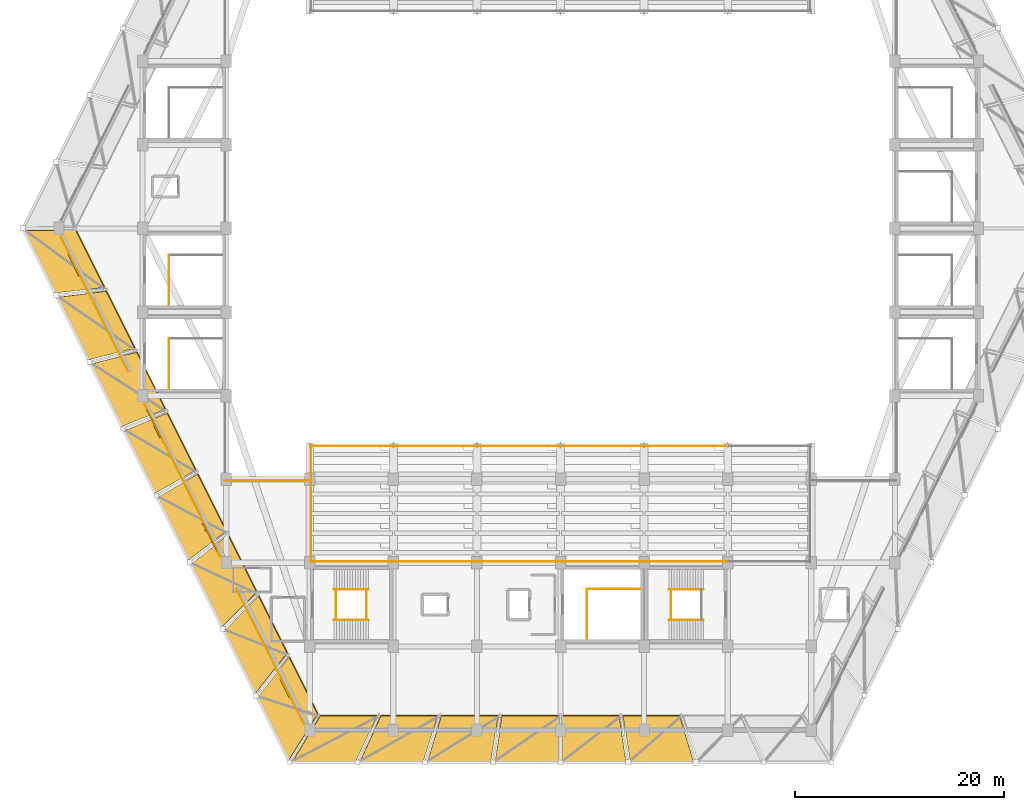
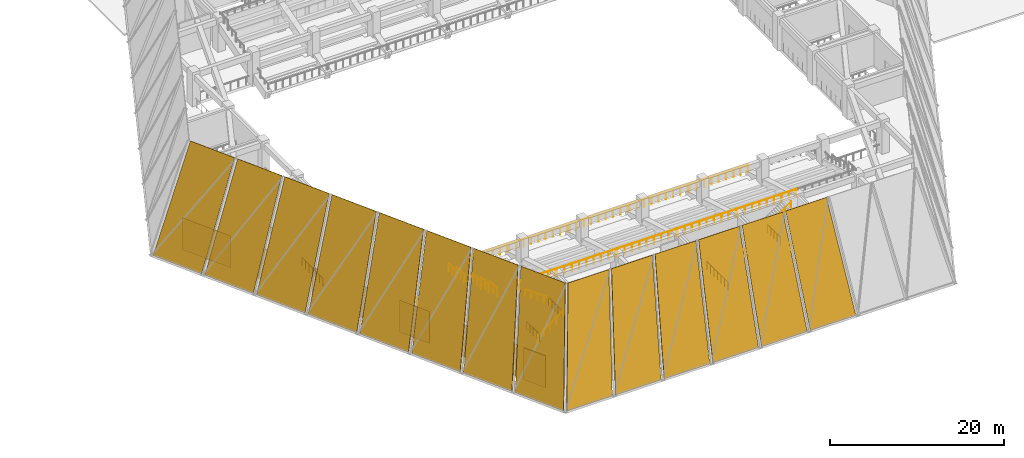
# One storey, part 20 of 24: 28 railings, 21 coverings, 4 shading devices.
"""IFC4 building model written with IfcOpenShell, lengths in metres."""

from ifc_helpers import new_model, si_unit, direction, frame, origin, origin_2d, place, context, subcontext, project, spatial, polyline, rectangle, circle, outline, extrude, material, layer, layer_set, type_object, element, save


model = new_model("IFC4")

# Units and contexts
model_context = context("Model", 3, precision=1e-05, world=origin(), true_north=direction((0.0, 1.0)))
body_context = subcontext(model_context, "Body", "Model", "MODEL_VIEW")
ifc_project = project(units=[si_unit("LENGTHUNIT", "METRE"), si_unit("AREAUNIT", "SQUARE_METRE"), si_unit("VOLUMEUNIT", "CUBIC_METRE"), si_unit("PLANEANGLEUNIT", "RADIAN"), si_unit("MASSUNIT", "GRAM", prefix="KILO")], contexts=[model_context])

# Site, building, storey
site_placement = place(None, origin())
site = spatial("IfcSite", under=ifc_project, at=site_placement, CompositionType="ELEMENT")
building_placement = place(site_placement, origin())
building = spatial("IfcBuilding", under=site, at=building_placement, Name="Tazarka Park Arena", CompositionType="ELEMENT")
storey_placement = place(building_placement, frame((0.0, 0.0, 15.0)))
storey = spatial("IfcBuildingStorey", under=building, at=storey_placement, Name="L03", CompositionType="ELEMENT", Elevation=15.0)

# Coverings
ifc_material_1 = material(Name="Dark ribbed perforated bronze-charcoal aluminium mesh", Category="aluminium")
ifc_layer = layer(ifc_material_1, 0.06005859375, Name="Dark ribbed perforated bronze-charcoal aluminium mesh")
ifc_layer_set = layer_set([ifc_layer], Name="Dark ribbed perforated bronze-charcoal aluminium mesh")
covering_type = type_object("IfcCoveringType", Name="CLD-01", PredefinedType="CLADDING", material=ifc_layer_set)
covering_1_placement = place(storey_placement, frame((62.29150390625, 12.89990234375, 0.0), z_axis=(0.0, -0.955276509759, 0.295714033997), x_axis=(1.0, 0.0, 0.0)))
element("IfcCovering", 1, at=covering_1_placement, inside=storey, type_object=covering_type, Name="Folded Gem Upper Ribbed Mesh Facet 001", PredefinedType="CLADDING", context=body_context, shape_type="SweptSolid", body=[
    extrude(outline(polyline([(0.0, 0.0), (6.064208984375, 0.0), (8.149658203125, 15.053110450846884), (2.72900390625, 15.053110450846884), (0.0, 0.0)])), origin(), (0.0, 0.0, -1.0), 0.080078125),
])
covering_2_placement = place(storey_placement, frame((68.7705078125, 12.89990234375, 0.0), z_axis=(0.0, -0.955276509759, 0.295714033997), x_axis=(1.0, 0.0, 0.0)))
element("IfcCovering", 2, at=covering_2_placement, inside=storey, type_object=covering_type, Name="Folded Gem Upper Ribbed Mesh Facet 002", PredefinedType="CLADDING", context=body_context, shape_type="SweptSolid", body=[
    extrude(outline(polyline([(0.0, 0.0), (6.064208984375, 0.0), (7.4619140625, 15.053110450846884), (2.041259765625, 15.053110450846884), (0.0, 0.0)])), origin(), (0.0, 0.0, -1.0), 0.080078125),
])
covering_3_placement = place(storey_placement, frame((75.24951171875, 12.89990234375, 0.0), z_axis=(0.0, -0.955276509759, 0.295714033997), x_axis=(1.0, 0.0, 0.0)))
element("IfcCovering", 3, at=covering_3_placement, inside=storey, type_object=covering_type, Name="Folded Gem Upper Ribbed Mesh Facet 003", PredefinedType="CLADDING", context=body_context, shape_type="SweptSolid", body=[
    extrude(outline(polyline([(0.0, 0.0), (6.064208984375, 0.0), (6.77392578125, 15.053110450846884), (1.353271484375, 15.053110450846884), (0.0, 0.0)])), origin(), (0.0, 0.0, -1.0), 0.080078125),
])
covering_4_placement = place(storey_placement, frame((81.728515625, 12.89990234375, 0.0), z_axis=(0.0, -0.955276509759, 0.295714033997), x_axis=(1.0, 0.0, 0.0)))
element("IfcCovering", 4, at=covering_4_placement, inside=storey, type_object=covering_type, Name="Folded Gem Upper Ribbed Mesh Facet 004", PredefinedType="CLADDING", context=body_context, shape_type="SweptSolid", body=[
    extrude(outline(polyline([(0.0, 0.0), (6.064208984375, 0.0), (6.086181640625, 15.053110450846884), (0.66552734375, 15.053110450846884), (0.0, 0.0)])), origin(), (0.0, 0.0, -1.0), 0.080078125),
])
covering_5_placement = place(storey_placement, frame((88.207275390625, 12.89990234375, 0.0), z_axis=(0.0, -0.955276509759, 0.295714033997), x_axis=(1.0, 0.0, 0.0)))
element("IfcCovering", 5, at=covering_5_placement, inside=storey, type_object=covering_type, Name="Folded Gem Upper Ribbed Mesh Facet 005", PredefinedType="CLADDING", context=body_context, shape_type="SweptSolid", body=[
    extrude(outline(polyline([(0.0, 0.0), (6.064208984375, 0.0), (5.398681640625, 15.053110450846884), (-0.02197265625, 15.053110450846884), (0.0, 0.0)])), origin(), (0.0, 0.0, -1.0), 0.080078125),
])
covering_6_placement = place(storey_placement, frame((94.686279296875, 12.89990234375, 0.0), z_axis=(0.0, -0.955276509759, 0.295714033997), x_axis=(1.0, 0.0, 0.0)))
element("IfcCovering", 6, at=covering_6_placement, inside=storey, type_object=covering_type, Name="Folded Gem Upper Ribbed Mesh Facet 006", PredefinedType="CLADDING", context=body_context, shape_type="SweptSolid", body=[
    extrude(outline(polyline([(0.0, 0.0), (6.064208984375, 0.0), (4.7109375, 15.053110450846884), (-0.709716796875, 15.053110450846884), (0.0, 0.0)])), origin(), (0.0, 0.0, -1.0), 0.080078125),
])
covering_7_placement = place(storey_placement, frame((36.63623046875, 63.795654296875, 0.0), z_axis=(-0.854429991825, -0.427205876156, 0.295710210253), x_axis=(0.447207903466, -0.894430036967, 7.026136e-06)))
element("IfcCovering", 7, at=covering_7_placement, inside=storey, type_object=covering_type, Name="Folded Gem Upper Ribbed Mesh Facet 041", PredefinedType="CLADDING", context=body_context, shape_type="SweptSolid", body=[
    extrude(outline(polyline([(0.0, 0.0), (6.684511219047283, 0.0), (8.308026054149545, 15.053030693136057), (2.2058969908033284, 15.053124739790182), (0.0, 0.0)])), origin(), (0.0, 0.0, -1.0), 0.080078125),
])
covering_8_placement = place(storey_placement, frame((39.830078125, 57.408203125, 0.0), z_axis=(-0.85442824834, -0.427205004432, 0.295716507193), x_axis=(0.447205348407, -0.894431314496, -2.202062e-06)))
element("IfcCovering", 8, at=covering_8_placement, inside=storey, type_object=covering_type, Name="Folded Gem Upper Ribbed Mesh Facet 042", PredefinedType="CLADDING", context=body_context, shape_type="SweptSolid", body=[
    extrude(outline(polyline([(0.0, 0.0), (6.684402037742117, 1.1102230246251565e-16), (7.685865047796924, 15.053140232285772), (1.5836268028336562, 15.053110757054977), (0.0, 0.0)])), origin(), (0.0, 0.0, -1.0), 0.080078125),
])
covering_9_placement = place(storey_placement, frame((43.023681640625, 51.0205078125, 0.0), z_axis=(-0.854416765636, -0.427226622438, 0.295718453399), x_axis=(0.447230089743, -0.894418943678, 4.404259e-06)))
element("IfcCovering", 9, at=covering_9_placement, inside=storey, type_object=covering_type, Name="Folded Gem Upper Ribbed Mesh Facet 043", PredefinedType="CLADDING", context=body_context, shape_type="SweptSolid", body=[
    extrude(outline(polyline([(0.0, 0.0), (6.684292856854548, -1.1102230246251565e-16), (7.063849226908394, 15.053099441361649), (0.9616109827677333, 15.053158393174112), (0.0, 0.0)])), origin(), (0.0, 0.0, -1.0), 0.080078125),
])
covering_10_placement = place(storey_placement, frame((46.217529296875, 44.633056640625, 0.0), z_axis=(-0.854426594025, -0.427204177292, 0.295722481945), x_axis=(0.447205348382, -0.894431314509, -2.202102e-06)))
element("IfcCovering", 10, at=covering_10_placement, inside=storey, type_object=covering_type, Name="Folded Gem Upper Ribbed Mesh Facet 044", PredefinedType="CLADDING", context=body_context, shape_type="SweptSolid", body=[
    extrude(outline(polyline([(0.0, 0.0), (6.684402037742119, 2.220446049250313e-16), (6.441506318627199, 15.053166509555366), (0.3392680736639323, 15.053137033729044), (0.0, 0.0)])), origin(), (0.0, 0.0, -1.0), 0.080078125),
])
covering_11_placement = place(storey_placement, frame((49.411376953125, 38.24560546875, 0.0), z_axis=(-0.854425702053, -0.427212851026, 0.295712528631), x_axis=(0.447212317948, -0.894427829763, -4.614148e-06)))
element("IfcCovering", 11, at=covering_11_placement, inside=storey, type_object=covering_type, Name="Folded Gem Upper Ribbed Mesh Facet 045", PredefinedType="CLADDING", context=body_context, shape_type="SweptSolid", body=[
    extrude(outline(polyline([(0.0, 0.0), (6.684402037113722, -2.220446049250313e-16), (5.819381548767856, 15.05313121648849), (-0.282638330229048, 15.053069455925998), (0.0, 0.0)])), origin(), (0.0, 0.0, -1.0), 0.080078125),
])
covering_12_placement = place(storey_placement, frame((52.60498046875, 31.858154296875, 0.0), z_axis=(-0.854418063297, -0.427227271296, 0.295713766626), x_axis=(0.447228812099, -0.894419582539, -2.10195e-07)))
element("IfcCovering", 12, at=covering_12_placement, inside=storey, type_object=covering_type, Name="Folded Gem Upper Ribbed Mesh Facet 046", PredefinedType="CLADDING", context=body_context, shape_type="SweptSolid", body=[
    extrude(outline(polyline([(0.0, 0.0), (6.684511220932458, 1.1102230246251565e-16), (5.197511377516311, 15.053110290258305), (-0.9045085026820289, 15.053107476761605), (0.0, 0.0)])), origin(), (0.0, 0.0, -1.0), 0.080078125),
])
covering_13_placement = place(storey_placement, frame((55.798828125, 25.470703125, 0.0), z_axis=(-0.854425702053, -0.427212851026, 0.295712528631), x_axis=(0.447212317948, -0.894427829763, -4.614148e-06)))
element("IfcCovering", 13, at=covering_13_placement, inside=storey, type_object=covering_type, Name="Folded Gem Upper Ribbed Mesh Facet 047", PredefinedType="CLADDING", context=body_context, shape_type="SweptSolid", body=[
    extrude(outline(polyline([(0.0, 0.0), (6.684402037113722, -2.220446049250313e-16), (4.575241187277969, 15.053125207081868), (-1.5267786917189343, 15.053063446519374), (0.0, 0.0)])), origin(), (0.0, 0.0, -1.0), 0.080078125),
])
covering_14_placement = place(storey_placement, frame((58.99267578125, 19.0830078125, 0.0), z_axis=(-0.854422620568, -0.427220430351, 0.295710482317), x_axis=(0.447220565242, -0.894423706092, -2.41218e-06)))
element("IfcCovering", 14, at=covering_14_placement, inside=storey, type_object=covering_type, Name="Folded Gem Upper Ribbed Mesh Facet 048", PredefinedType="CLADDING", context=body_context, shape_type="SweptSolid", body=[
    extrude(outline(polyline([(0.0, 0.0), (6.6841836707999365, 0.0), (3.952970758206706, 15.053103107689404), (-2.149049121665114, 15.053070821129827), (0.0, 0.0)])), origin(), (0.0, 0.0, -1.0), 0.080078125),
])
covering_15_placement = place(storey_placement, frame((61.939453125, 19.617919921875, 0.0), z_axis=(0.0, 0.0, 1.0), x_axis=(-0.447290848419, 0.89438856037, 0.0)))
element("IfcCovering", 15, at=covering_15_placement, inside=storey, type_object=covering_type, Name="Ribbed Metal Mesh Cladding EW-L03-0317", PredefinedType="CLADDING", context=body_context, shape_type="SweptSolid", body=[
    extrude(rectangle(XDim=6.718017578125, YDim=0.06005859375, at=origin_2d()), origin(), (0.0, 0.0, 1.0), 4.5),
])
covering_16_placement = place(storey_placement, frame((58.6513671875, 26.182861328125, 0.0), z_axis=(0.0, 0.0, 1.0), x_axis=(-0.447290848419, 0.89438856037, 0.0)))
element("IfcCovering", 16, at=covering_16_placement, inside=storey, type_object=covering_type, Name="Ribbed Metal Mesh Cladding EW-L03-0318", PredefinedType="CLADDING", context=body_context, shape_type="SweptSolid", body=[
    extrude(rectangle(XDim=7.366455078125, YDim=0.06005859375, at=origin_2d()), origin(), (0.0, 0.0, 1.0), 4.5),
])
covering_17_placement = place(storey_placement, frame((54.501953125, 34.470703125, 0.0), z_axis=(0.0, 0.0, 1.0), x_axis=(-0.447290848419, 0.89438856037, 0.0)))
element("IfcCovering", 17, at=covering_17_placement, inside=storey, type_object=covering_type, Name="Ribbed Metal Mesh Cladding EW-L03-0319", PredefinedType="CLADDING", context=body_context, shape_type="SweptSolid", body=[
    extrude(rectangle(XDim=4.16259765625, YDim=0.06005859375, at=origin_2d()), origin(), (0.0, 0.0, 1.0), 4.5),
])
covering_18_placement = place(storey_placement, frame((51.847900390625, 39.924072265625, 0.0), z_axis=(0.0, 0.0, 1.0), x_axis=(-0.447290848419, 0.89438856037, 0.0)))
element("IfcCovering", 18, at=covering_18_placement, inside=storey, type_object=covering_type, Name="Ribbed Metal Mesh Cladding EW-L03-0320", PredefinedType="CLADDING", context=body_context, shape_type="SweptSolid", body=[
    extrude(rectangle(XDim=7.36669921875, YDim=0.06005859375, at=origin_2d()), origin(), (0.0, 0.0, 1.0), 4.5),
])
covering_19_placement = place(storey_placement, frame((49.126953125, 45.34375, 0.0), z_axis=(0.0, 0.0, 1.0), x_axis=(-0.447290848419, 0.89438856037, 0.0)))
element("IfcCovering", 19, at=covering_19_placement, inside=storey, type_object=covering_type, Name="Ribbed Metal Mesh Cladding EW-L03-0321", PredefinedType="CLADDING", context=body_context, shape_type="SweptSolid", body=[
    extrude(rectangle(XDim=4.16259765625, YDim=0.06005859375, at=origin_2d()), origin(), (0.0, 0.0, 1.0), 4.5),
])
covering_20_placement = place(storey_placement, frame((44.972900390625, 53.62939453125, 0.0), z_axis=(0.0, 0.0, 1.0), x_axis=(-0.447290848419, 0.89438856037, 0.0)))
element("IfcCovering", 20, at=covering_20_placement, inside=storey, type_object=covering_type, Name="Ribbed Metal Mesh Cladding EW-L03-0322", PredefinedType="CLADDING", context=body_context, shape_type="SweptSolid", body=[
    extrude(rectangle(XDim=7.366455078125, YDim=0.06005859375, at=origin_2d()), origin(), (0.0, 0.0, 1.0), 4.5),
])
covering_21_placement = place(storey_placement, frame((41.680419921875, 60.19189453125, 0.0), z_axis=(0.0, 0.0, 1.0), x_axis=(-0.447290848419, 0.89438856037, 0.0)))
element("IfcCovering", 21, at=covering_21_placement, inside=storey, type_object=covering_type, Name="Ribbed Metal Mesh Cladding EW-L03-0323", PredefinedType="CLADDING", context=body_context, shape_type="SweptSolid", body=[
    extrude(rectangle(XDim=6.718017578125, YDim=0.06005859375, at=origin_2d()), origin(), (0.0, 0.0, 1.0), 4.5),
])

# Railings
ifc_material_2 = material(Name="Brushed architectural stainless steel", Category="steel")
railing_type_1 = type_object("IfcRailingType", Name="HR-01", PredefinedType="HANDRAIL", material=ifc_material_2)
railing_1_placement = place(storey_placement, frame((66.31494140625, 26.550048828125, 0.0)))
element("IfcRailing", 22, at=railing_1_placement, inside=storey, type_object=railing_type_1, Name="Stair Handrail ST09-L03-F1", PredefinedType="HANDRAIL", context=body_context, shape_type="SweptSolid", body=[
    extrude(circle(Radius=0.02392578125, at=origin_2d()), frame((0.0, 0.0, 0.89599609375), z_axis=(0.810008566192, 0.0, 0.586418044312), x_axis=(0.0, 1.0, 0.0)), (0.0, 0.0, 1.0), 4.092529296875),
    extrude(circle(Radius=0.02099609375, at=origin_2d()), origin(), (0.0, 0.0, 1.0), 0.871826171875),
    extrude(circle(Radius=0.02099609375, at=origin_2d()), frame((0.82861328125, 0.0, 0.60009765625)), (0.0, 0.0, 1.0), 0.871826171875),
    extrude(circle(Radius=0.02099609375, at=origin_2d()), frame((1.657470703125, 0.0, 1.199951171875)), (0.0, 0.0, 1.0), 0.871826171875),
    extrude(circle(Radius=0.02099609375, at=origin_2d()), frame((2.486328125, 0.0, 1.7998046875)), (0.0, 0.0, 1.0), 0.871826171875),
    extrude(circle(Radius=0.02099609375, at=origin_2d()), frame((3.31494140625, 0.0, 2.39990234375)), (0.0, 0.0, 1.0), 0.871826171875),
])
railing_2_placement = place(storey_placement, frame((69.6298828125, 29.449951171875, 2.39990234375)))
element("IfcRailing", 23, at=railing_2_placement, inside=storey, type_object=railing_type_1, Name="Stair Handrail ST09-L03-F2", PredefinedType="HANDRAIL", context=body_context, shape_type="SweptSolid", body=[
    extrude(circle(Radius=0.02392578125, at=origin_2d()), frame((0.0, 0.0, 0.89599609375), z_axis=(-0.809980229442, 0.0, 0.586457183359), x_axis=(0.0, -1.0, 0.0)), (0.0, 0.0, 1.0), 4.092529296875),
    extrude(circle(Radius=0.02099609375, at=origin_2d()), origin(), (0.0, 0.0, 1.0), 0.871826171875),
    extrude(circle(Radius=0.02099609375, at=origin_2d()), frame((-0.82861328125, 0.0, 0.60009765625)), (0.0, 0.0, 1.0), 0.871826171875),
    extrude(circle(Radius=0.02099609375, at=origin_2d()), frame((-1.657470703125, 0.0, 1.2001953125)), (0.0, 0.0, 1.0), 0.871826171875),
    extrude(circle(Radius=0.02099609375, at=origin_2d()), frame((-2.486328125, 0.0, 1.800048828125)), (0.0, 0.0, 1.0), 0.871826171875),
    extrude(circle(Radius=0.02099609375, at=origin_2d()), frame((-3.31494140625, 0.0, 2.400146484375)), (0.0, 0.0, 1.0), 0.871826171875),
])
railing_3_placement = place(storey_placement, frame((101.68505859375, 26.550048828125, 0.0)))
element("IfcRailing", 24, at=railing_3_placement, inside=storey, type_object=railing_type_1, Name="Stair Handrail ST11-L03-F1", PredefinedType="HANDRAIL", context=body_context, shape_type="SweptSolid", body=[
    extrude(circle(Radius=0.02392578125, at=origin_2d()), frame((0.0, 0.0, 0.89599609375), z_axis=(-0.810008566192, 0.0, 0.586418044312), x_axis=(0.0, -1.0, 0.0)), (0.0, 0.0, 1.0), 4.092529296875),
    extrude(circle(Radius=0.02099609375, at=origin_2d()), origin(), (0.0, 0.0, 1.0), 0.871826171875),
    extrude(circle(Radius=0.02099609375, at=origin_2d()), frame((-0.82861328125, 0.0, 0.60009765625)), (0.0, 0.0, 1.0), 0.871826171875),
    extrude(circle(Radius=0.02099609375, at=origin_2d()), frame((-1.657470703125, 0.0, 1.199951171875)), (0.0, 0.0, 1.0), 0.871826171875),
    extrude(circle(Radius=0.02099609375, at=origin_2d()), frame((-2.486328125, 0.0, 1.7998046875)), (0.0, 0.0, 1.0), 0.871826171875),
    extrude(circle(Radius=0.02099609375, at=origin_2d()), frame((-3.31494140625, 0.0, 2.39990234375)), (0.0, 0.0, 1.0), 0.871826171875),
])
railing_4_placement = place(storey_placement, frame((98.3701171875, 29.449951171875, 2.39990234375)))
element("IfcRailing", 25, at=railing_4_placement, inside=storey, type_object=railing_type_1, Name="Stair Handrail ST11-L03-F2", PredefinedType="HANDRAIL", context=body_context, shape_type="SweptSolid", body=[
    extrude(circle(Radius=0.02392578125, at=origin_2d()), frame((0.0, 0.0, 0.89599609375), z_axis=(0.809980229442, 0.0, 0.586457183359), x_axis=(0.0, 1.0, 0.0)), (0.0, 0.0, 1.0), 4.092529296875),
    extrude(circle(Radius=0.02099609375, at=origin_2d()), origin(), (0.0, 0.0, 1.0), 0.871826171875),
    extrude(circle(Radius=0.02099609375, at=origin_2d()), frame((0.82861328125, 0.0, 0.60009765625)), (0.0, 0.0, 1.0), 0.871826171875),
    extrude(circle(Radius=0.02099609375, at=origin_2d()), frame((1.657470703125, 0.0, 1.2001953125)), (0.0, 0.0, 1.0), 0.871826171875),
    extrude(circle(Radius=0.02099609375, at=origin_2d()), frame((2.486328125, 0.0, 1.800048828125)), (0.0, 0.0, 1.0), 0.871826171875),
    extrude(circle(Radius=0.02099609375, at=origin_2d()), frame((3.31494140625, 0.0, 2.400146484375)), (0.0, 0.0, 1.0), 0.871826171875),
])
ifc_material_3 = material(Name="Galvanised powder-coated architectural steel", Category="steel")
railing_type_2 = type_object("IfcRailingType", Name="IGR-01", PredefinedType="GUARDRAIL", material=ifc_material_3)
for number, where, name in (
    (26, (66.514892578125, 26.550048828125, 0.0), "Stair Well Guardrail ST09-L03"),
    (27, (69.429931640625, 26.550048828125, 2.39990234375), "Landing Guardrail ST09-L03-M"),
    (28, (98.570068359375, 26.550048828125, 2.39990234375), "Landing Guardrail ST11-L03-M"),
):
    element("IfcRailing", number, at=place(storey_placement, frame(where)), inside=storey, type_object=railing_type_2, Name=name, PredefinedType="GUARDRAIL", context=body_context, shape_type="SweptSolid", body=[
        extrude(circle(Radius=0.02392578125, at=origin_2d()), frame((0.0, 0.0, 1.1259765625), z_axis=(0.0, 1.0, 0.0), x_axis=(-1.0, 0.0, 0.0)), (0.0, 0.0, 1.0), 2.89990234375),
        extrude(circle(Radius=0.02099609375, at=origin_2d()), origin(), (0.0, 0.0, 1.0), 1.101806640625),
        extrude(circle(Radius=0.02099609375, at=origin_2d()), frame((0.0, 0.72509765625, 0.0)), (0.0, 0.0, 1.0), 1.101806640625),
        extrude(circle(Radius=0.02099609375, at=origin_2d()), frame((0.0, 1.449951171875, 0.0)), (0.0, 0.0, 1.0), 1.101806640625),
        extrude(circle(Radius=0.02099609375, at=origin_2d()), frame((0.0, 2.1748046875, 0.0)), (0.0, 0.0, 1.0), 1.101806640625),
        extrude(circle(Radius=0.02099609375, at=origin_2d()), frame((0.0, 2.89990234375, 0.0)), (0.0, 0.0, 1.0), 1.101806640625),
    ])
railing_5_placement = place(storey_placement, frame((50.514892578125, 56.679931640625, 0.0)))
element("IfcRailing", 29, at=railing_5_placement, inside=storey, type_object=railing_type_2, Name="Stair Well Guardrail ST13-L03", PredefinedType="GUARDRAIL", context=body_context, shape_type="SweptSolid", body=[
    extrude(circle(Radius=0.02392578125, at=origin_2d()), frame((0.0, 0.0, 1.1259765625), z_axis=(0.0, 1.0, 0.0), x_axis=(-1.0, 0.0, 0.0)), (0.0, 0.0, 1.0), 4.77001953125),
    extrude(circle(Radius=0.02099609375, at=origin_2d()), origin(), (0.0, 0.0, 1.0), 1.101806640625),
    extrude(circle(Radius=0.02099609375, at=origin_2d()), frame((0.0, 0.794921875, 0.0)), (0.0, 0.0, 1.0), 1.101806640625),
    extrude(circle(Radius=0.02099609375, at=origin_2d()), frame((0.0, 1.590087890625, 0.0)), (0.0, 0.0, 1.0), 1.101806640625),
    extrude(circle(Radius=0.02099609375, at=origin_2d()), frame((0.0, 2.385009765625, 0.0)), (0.0, 0.0, 1.0), 1.101806640625),
    extrude(circle(Radius=0.02099609375, at=origin_2d()), frame((0.0, 3.179931640625, 0.0)), (0.0, 0.0, 1.0), 1.101806640625),
    extrude(circle(Radius=0.02099609375, at=origin_2d()), frame((0.0, 3.97509765625, 0.0)), (0.0, 0.0, 1.0), 1.101806640625),
    extrude(circle(Radius=0.02099609375, at=origin_2d()), frame((0.0, 4.77001953125, 0.0)), (0.0, 0.0, 1.0), 1.101806640625),
])
for number, where, name in (
    (30, (50.514892578125, 48.679931640625, 0.0), "Stair Well Guardrail ST19-L03"),
    (31, (90.514892578125, 24.679931640625, 0.0), "Stair Well Guardrail ST23-L03"),
):
    element("IfcRailing", number, at=place(storey_placement, frame(where)), inside=storey, type_object=railing_type_2, Name=name, PredefinedType="GUARDRAIL", context=body_context, shape_type="SweptSolid", body=[
        extrude(circle(Radius=0.02392578125, at=origin_2d()), frame((0.0, 0.0, 1.1259765625), z_axis=(0.0, 1.0, 0.0), x_axis=(-1.0, 0.0, 0.0)), (0.0, 0.0, 1.0), 4.81005859375),
        extrude(circle(Radius=0.02099609375, at=origin_2d()), origin(), (0.0, 0.0, 1.0), 1.101806640625),
        extrude(circle(Radius=0.02099609375, at=origin_2d()), frame((0.0, 0.8017578125, 0.0)), (0.0, 0.0, 1.0), 1.101806640625),
        extrude(circle(Radius=0.02099609375, at=origin_2d()), frame((0.0, 1.603271484375, 0.0)), (0.0, 0.0, 1.0), 1.101806640625),
        extrude(circle(Radius=0.02099609375, at=origin_2d()), frame((0.0, 2.405029296875, 0.0)), (0.0, 0.0, 1.0), 1.101806640625),
        extrude(circle(Radius=0.02099609375, at=origin_2d()), frame((0.0, 3.206787109375, 0.0)), (0.0, 0.0, 1.0), 1.101806640625),
        extrude(circle(Radius=0.02099609375, at=origin_2d()), frame((0.0, 4.00830078125, 0.0)), (0.0, 0.0, 1.0), 1.101806640625),
        extrude(circle(Radius=0.02099609375, at=origin_2d()), frame((0.0, 4.81005859375, 0.0)), (0.0, 0.0, 1.0), 1.101806640625),
    ])
railing_6_placement = place(storey_placement, frame((90.514892578125, 29.489990234375, 0.0)))
element("IfcRailing", 32, at=railing_6_placement, inside=storey, type_object=railing_type_2, Name="Top Well Guardrail ST23-L03", PredefinedType="GUARDRAIL", context=body_context, shape_type="SweptSolid", body=[
    extrude(circle(Radius=0.02392578125, at=origin_2d()), frame((0.0, 0.0, 1.1259765625), z_axis=(1.0, 0.0, 0.0), x_axis=(0.0, 1.0, 0.0)), (0.0, 0.0, 1.0), 5.105224609375),
    extrude(circle(Radius=0.02099609375, at=origin_2d()), origin(), (0.0, 0.0, 1.0), 1.101806640625),
    extrude(circle(Radius=0.02099609375, at=origin_2d()), frame((0.850830078125, 0.0, 0.0)), (0.0, 0.0, 1.0), 1.101806640625),
    extrude(circle(Radius=0.02099609375, at=origin_2d()), frame((1.70166015625, 0.0, 0.0)), (0.0, 0.0, 1.0), 1.101806640625),
    extrude(circle(Radius=0.02099609375, at=origin_2d()), frame((2.552734375, 0.0, 0.0)), (0.0, 0.0, 1.0), 1.101806640625),
    extrude(circle(Radius=0.02099609375, at=origin_2d()), frame((3.403564453125, 0.0, 0.0)), (0.0, 0.0, 1.0), 1.101806640625),
    extrude(circle(Radius=0.02099609375, at=origin_2d()), frame((4.25439453125, 0.0, 0.0)), (0.0, 0.0, 1.0), 1.101806640625),
    extrude(circle(Radius=0.02099609375, at=origin_2d()), frame((5.105224609375, 0.0, 0.0)), (0.0, 0.0, 1.0), 1.101806640625),
])
railing_7_placement = place(storey_placement, frame((55.8798828125, 39.8798828125, 0.0)))
element("IfcRailing", 33, at=railing_7_placement, inside=storey, type_object=railing_type_2, Name="Interior Barrier Guardrail IGR-01-011", PredefinedType="GUARDRAIL", context=body_context, shape_type="SweptSolid", body=[
    extrude(circle(Radius=0.02392578125, at=origin_2d()), frame((0.0, 0.0, 1.1259765625), z_axis=(1.0, 0.0, 0.0), x_axis=(0.0, 1.0, 0.0)), (0.0, 0.0, 1.0), 8.22021484375),
    extrude(circle(Radius=0.02099609375, at=origin_2d()), origin(), (0.0, 0.0, 1.0), 1.101806640625),
    extrude(circle(Radius=0.02099609375, at=origin_2d()), frame((1.027587890625, 0.0, 0.0)), (0.0, 0.0, 1.0), 1.101806640625),
    extrude(circle(Radius=0.02099609375, at=origin_2d()), frame((2.05517578125, 0.0, 0.0)), (0.0, 0.0, 1.0), 1.101806640625),
    extrude(circle(Radius=0.02099609375, at=origin_2d()), frame((3.08251953125, 0.0, 0.0)), (0.0, 0.0, 1.0), 1.101806640625),
    extrude(circle(Radius=0.02099609375, at=origin_2d()), frame((4.110107421875, 0.0, 0.0)), (0.0, 0.0, 1.0), 1.101806640625),
    extrude(circle(Radius=0.02099609375, at=origin_2d()), frame((5.1376953125, 0.0, 0.0)), (0.0, 0.0, 1.0), 1.101806640625),
    extrude(circle(Radius=0.02099609375, at=origin_2d()), frame((6.1650390625, 0.0, 0.0)), (0.0, 0.0, 1.0), 1.101806640625),
    extrude(circle(Radius=0.02099609375, at=origin_2d()), frame((7.192626953125, 0.0, 0.0)), (0.0, 0.0, 1.0), 1.101806640625),
    extrude(circle(Radius=0.02099609375, at=origin_2d()), frame((8.22021484375, 0.0, 0.0)), (0.0, 0.0, 1.0), 1.101806640625),
])
railing_8_placement = place(storey_placement, frame((64.1201171875, 41.5, 0.64990234375)))
element("IfcRailing", 34, at=railing_8_placement, inside=storey, type_object=railing_type_2, Name="Interior Barrier Guardrail IGR-01-049", PredefinedType="GUARDRAIL", context=body_context, shape_type="SweptSolid", body=[
    extrude(circle(Radius=0.02392578125, at=origin_2d()), frame((0.0, 0.0, 1.1259765625), z_axis=(0.0, 1.0, 0.0), x_axis=(-1.0, 0.0, 0.0)), (0.0, 0.0, 1.0), 1.719970703125),
    extrude(circle(Radius=0.02099609375, at=origin_2d()), origin(), (0.0, 0.0, 1.0), 1.101806640625),
    extrude(circle(Radius=0.02099609375, at=origin_2d()), frame((0.0, 0.85986328125, 0.0)), (0.0, 0.0, 1.0), 1.101806640625),
    extrude(circle(Radius=0.02099609375, at=origin_2d()), frame((0.0, 1.719970703125, 0.0)), (0.0, 0.0, 1.0), 1.101806640625),
])
for number, where, name in (
    (35, (64.1201171875, 43.199951171875, 0.64990234375), "Interior Barrier Guardrail IGR-01-050"),
    (36, (72.1201171875, 43.199951171875, 0.64990234375), "Interior Barrier Guardrail IGR-01-051"),
    (37, (80.1201171875, 43.199951171875, 0.64990234375), "Interior Barrier Guardrail IGR-01-052"),
    (38, (88.1201171875, 43.199951171875, 0.64990234375), "Interior Barrier Guardrail IGR-01-053"),
    (39, (96.1201171875, 43.199951171875, 0.64990234375), "Interior Barrier Guardrail IGR-01-054"),
):
    element("IfcRailing", number, at=place(storey_placement, frame(where)), inside=storey, type_object=railing_type_2, Name=name, PredefinedType="GUARDRAIL", context=body_context, shape_type="SweptSolid", body=[
        extrude(circle(Radius=0.02392578125, at=origin_2d()), frame((0.0, 0.0, 1.1259765625), z_axis=(1.0, 0.0, 0.0), x_axis=(0.0, 1.0, 0.0)), (0.0, 0.0, 1.0), 7.759765625),
        extrude(circle(Radius=0.02099609375, at=origin_2d()), origin(), (0.0, 0.0, 1.0), 1.101806640625),
        extrude(circle(Radius=0.02099609375, at=origin_2d()), frame((0.969970703125, 0.0, 0.0)), (0.0, 0.0, 1.0), 1.101806640625),
        extrude(circle(Radius=0.02099609375, at=origin_2d()), frame((1.93994140625, 0.0, 0.0)), (0.0, 0.0, 1.0), 1.101806640625),
        extrude(circle(Radius=0.02099609375, at=origin_2d()), frame((2.909912109375, 0.0, 0.0)), (0.0, 0.0, 1.0), 1.101806640625),
        extrude(circle(Radius=0.02099609375, at=origin_2d()), frame((3.8798828125, 0.0, 0.0)), (0.0, 0.0, 1.0), 1.101806640625),
        extrude(circle(Radius=0.02099609375, at=origin_2d()), frame((4.849853515625, 0.0, 0.0)), (0.0, 0.0, 1.0), 1.101806640625),
        extrude(circle(Radius=0.02099609375, at=origin_2d()), frame((5.81982421875, 0.0, 0.0)), (0.0, 0.0, 1.0), 1.101806640625),
        extrude(circle(Radius=0.02099609375, at=origin_2d()), frame((6.789794921875, 0.0, 0.0)), (0.0, 0.0, 1.0), 1.101806640625),
        extrude(circle(Radius=0.02099609375, at=origin_2d()), frame((7.759765625, 0.0, 0.0)), (0.0, 0.0, 1.0), 1.101806640625),
    ])
for number, where, name in (
    (40, (64.1201171875, 39.6201171875, 1.300048828125), "Interior Barrier Guardrail IGR-01-057"),
    (41, (64.1201171875, 37.739990234375, 1.949951171875), "Interior Barrier Guardrail IGR-01-059"),
    (42, (64.1201171875, 35.860107421875, 2.60009765625), "Interior Barrier Guardrail IGR-01-061"),
    (43, (64.1201171875, 33.97998046875, 3.25), "Interior Barrier Guardrail IGR-01-063"),
    (44, (64.1201171875, 32.10009765625, 3.89990234375), "Interior Barrier Guardrail IGR-01-065"),
):
    element("IfcRailing", number, at=place(storey_placement, frame(where)), inside=storey, type_object=railing_type_2, Name=name, PredefinedType="GUARDRAIL", context=body_context, shape_type="SweptSolid", body=[
        extrude(circle(Radius=0.02392578125, at=origin_2d()), frame((0.0, 0.0, 1.1259765625), z_axis=(0.0, 1.0, 0.0), x_axis=(-1.0, 0.0, 0.0)), (0.0, 0.0, 1.0), 1.719970703125),
        extrude(circle(Radius=0.02099609375, at=origin_2d()), origin(), (0.0, 0.0, 1.0), 1.101806640625),
        extrude(circle(Radius=0.02099609375, at=origin_2d()), frame((0.0, 0.85986328125, 0.0)), (0.0, 0.0, 1.0), 1.101806640625),
        extrude(circle(Radius=0.02099609375, at=origin_2d()), frame((0.0, 1.719970703125, 0.0)), (0.0, 0.0, 1.0), 1.101806640625),
    ])
for number, where, name in (
    (45, (64.1201171875, 32.1201171875, 3.89990234375), "Interior Barrier Guardrail IGR-01-066"),
    (46, (72.1201171875, 32.1201171875, 3.89990234375), "Interior Barrier Guardrail IGR-01-067"),
    (47, (80.1201171875, 32.1201171875, 3.89990234375), "Interior Barrier Guardrail IGR-01-068"),
    (48, (88.1201171875, 32.1201171875, 3.89990234375), "Interior Barrier Guardrail IGR-01-069"),
    (49, (96.1201171875, 32.1201171875, 3.89990234375), "Interior Barrier Guardrail IGR-01-070"),
):
    element("IfcRailing", number, at=place(storey_placement, frame(where)), inside=storey, type_object=railing_type_2, Name=name, PredefinedType="GUARDRAIL", context=body_context, shape_type="SweptSolid", body=[
        extrude(circle(Radius=0.02392578125, at=origin_2d()), frame((0.0, 0.0, 1.1259765625), z_axis=(1.0, 0.0, 0.0), x_axis=(0.0, 1.0, 0.0)), (0.0, 0.0, 1.0), 7.759765625),
        extrude(circle(Radius=0.02099609375, at=origin_2d()), origin(), (0.0, 0.0, 1.0), 1.101806640625),
        extrude(circle(Radius=0.02099609375, at=origin_2d()), frame((0.969970703125, 0.0, 0.0)), (0.0, 0.0, 1.0), 1.101806640625),
        extrude(circle(Radius=0.02099609375, at=origin_2d()), frame((1.93994140625, 0.0, 0.0)), (0.0, 0.0, 1.0), 1.101806640625),
        extrude(circle(Radius=0.02099609375, at=origin_2d()), frame((2.909912109375, 0.0, 0.0)), (0.0, 0.0, 1.0), 1.101806640625),
        extrude(circle(Radius=0.02099609375, at=origin_2d()), frame((3.8798828125, 0.0, 0.0)), (0.0, 0.0, 1.0), 1.101806640625),
        extrude(circle(Radius=0.02099609375, at=origin_2d()), frame((4.849853515625, 0.0, 0.0)), (0.0, 0.0, 1.0), 1.101806640625),
        extrude(circle(Radius=0.02099609375, at=origin_2d()), frame((5.81982421875, 0.0, 0.0)), (0.0, 0.0, 1.0), 1.101806640625),
        extrude(circle(Radius=0.02099609375, at=origin_2d()), frame((6.789794921875, 0.0, 0.0)), (0.0, 0.0, 1.0), 1.101806640625),
        extrude(circle(Radius=0.02099609375, at=origin_2d()), frame((7.759765625, 0.0, 0.0)), (0.0, 0.0, 1.0), 1.101806640625),
    ])

# Shading devices
ifc_material_4 = material(Name="Dark ribbed perforated bronze-charcoal aluminium mesh", Category="aluminium")
shading_device_type = type_object("IfcShadingDeviceType", Name="SHD-02", PredefinedType="JALOUSIE", material=ifc_material_4)
for number, where, z_axis, x_axis, name in (
    (50, (61.8857421875, 19.591064453125, 0.0), (0.0, 0.0, 1.0), (-0.447290848419, 0.89438856037, 0.0), "Perforated Mesh Screen EW-L03-0317"),
    (51, (54.4482421875, 34.44384765625, 0.0), (0.0, 0.0, 1.0), (-0.447290848419, 0.89438856037, 0.0), "Perforated Mesh Screen EW-L03-0319"),
    (52, (49.0732421875, 45.31689453125, 0.0), (0.0, 0.0, 1.0), (-0.447290848419, 0.89438856037, 0.0), "Perforated Mesh Screen EW-L03-0321"),
    (53, (41.626708984375, 60.165283203125, 0.0), (0.0, 0.0, 1.0), (-0.447290848419, 0.89438856037, 0.0), "Perforated Mesh Screen EW-L03-0323"),
):
    element("IfcShadingDevice", number, at=place(storey_placement, frame(where, z_axis=z_axis, x_axis=x_axis)), inside=storey, type_object=shading_device_type, Name=name, PredefinedType="JALOUSIE", context=body_context, shape_type="SweptSolid", body=[
        extrude(rectangle(XDim=3.0, YDim=0.139892578125, at=origin_2d()), origin(), (0.0, 0.0, 1.0), 4.5),
    ])

save(model, "model.ifc")
